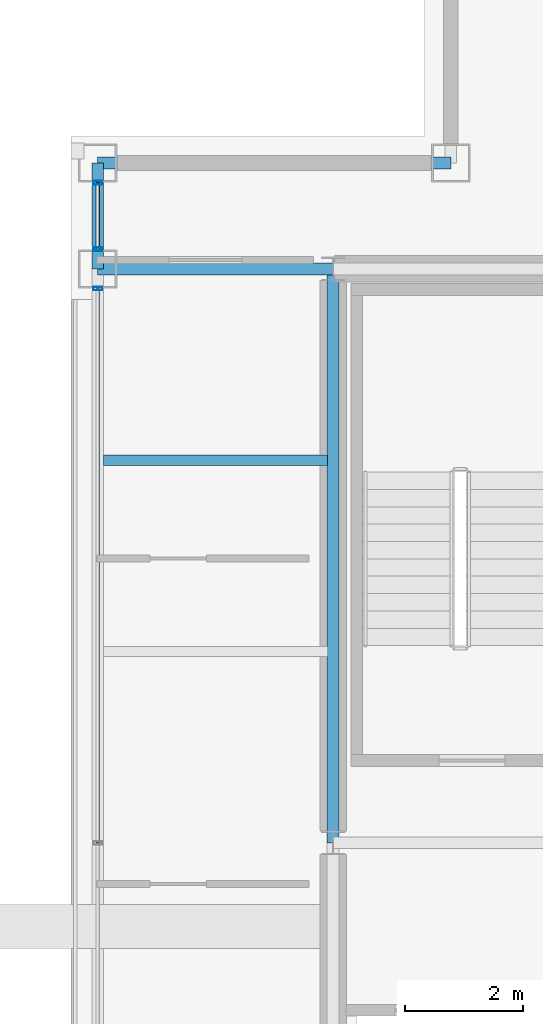
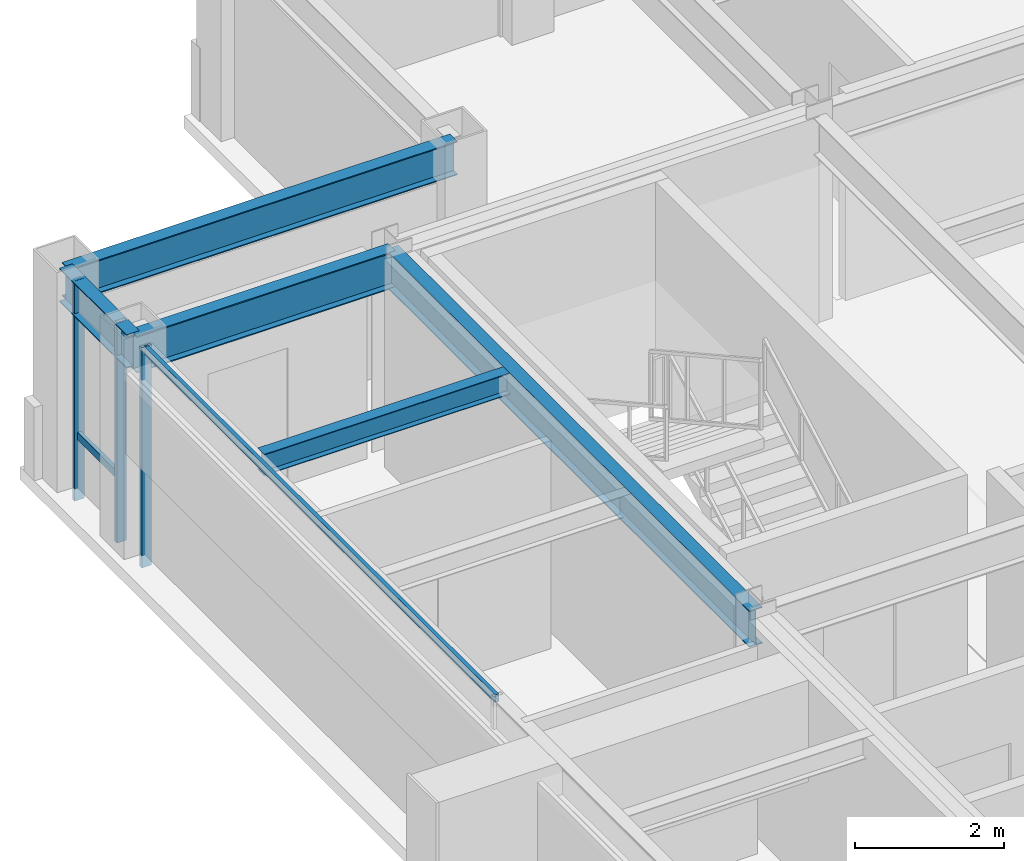
# One storey, part 8 of 20: 5 beams, 5 members, 2 elements without a shape of their own.
"""IFC4 building model written with IfcOpenShell, lengths in metres."""

from ifc_helpers import new_model, si_unit, direction, frame, origin, origin_2d, place, context, subcontext, project, spatial, hollow_rectangle, i_section, extrude, material, layer, layer_set, material_profile, profile_set, type_object, element, aggregate, save


model = new_model("IFC4")

# Units and contexts
model_context = context("Model", 3, precision=1e-05, world=origin(), true_north=direction((0.0, 1.0)))
body_context = subcontext(model_context, "Body", "Model", "MODEL_VIEW")
ifc_project = project(units=[si_unit("LENGTHUNIT", "METRE"), si_unit("AREAUNIT", "SQUARE_METRE"), si_unit("VOLUMEUNIT", "CUBIC_METRE"), si_unit("PLANEANGLEUNIT", "RADIAN"), si_unit("MASSUNIT", "GRAM", prefix="KILO")], contexts=[model_context])

# Site, building, storey
site_placement = place(None, origin())
site = spatial("IfcSite", under=ifc_project, at=site_placement, CompositionType="ELEMENT")
building_placement = place(site_placement, origin())
building = spatial("IfcBuilding", under=site, at=building_placement, Name="Brelmoor Portico Tower", CompositionType="ELEMENT")
storey_placement = place(building_placement, frame((0.0, 0.0, 243.60009765625)))
storey = spatial("IfcBuildingStorey", under=building, at=storey_placement, Name="L64", CompositionType="ELEMENT", Elevation=243.60009765625)

# Beams
ifc_material_1 = material(Name="Steel Q355B", Category="steel")
ifc_material_profile_1 = material_profile(ifc_material_1, i_section(OverallWidth=0.175048828125, OverallDepth=0.35009765625, WebThickness=0.007080078125, FlangeThickness=0.010986328125, at=origin_2d()), Name="HN 350x175x7x11")
ifc_profile_set_1 = profile_set([ifc_material_profile_1], Name="Steel Q355B")
beam_type_1 = type_object("IfcBeamType", Name="BM-JS-350", PredefinedType="JOIST", material=ifc_profile_set_1)
beam_1_placement = place(storey_placement, frame((-18.449951171875, 6.5, 3.224853515625), z_axis=(1.0, 0.0, 0.0), x_axis=(0.0, 1.0, 0.0)))
element("IfcBeam", 1, at=beam_1_placement, inside=storey, type_object=beam_type_1, Name="L64 Secondary Wing Joist JS-W10", PredefinedType="JOIST", context=body_context, shape_type="SweptSolid", body=[
    extrude(i_section(OverallWidth=0.175048828125, OverallDepth=0.35009765625, WebThickness=0.007080078125, FlangeThickness=0.010986328125, at=origin_2d()), origin(), (0.0, 0.0, 1.0), 3.800048828125),
])
ifc_material_profile_2 = material_profile(ifc_material_1, i_section(OverallWidth=0.199951171875, OverallDepth=0.60009765625, WebThickness=0.010986328125, FlangeThickness=0.01708984375, at=origin_2d()), Name="HN 600x200x11x17")
ifc_profile_set_2 = profile_set([ifc_material_profile_2], Name="Steel Q355B")
beam_type_2 = type_object("IfcBeamType", Name="BM-PG-600", PredefinedType="BEAM", material=ifc_profile_set_2)
beam_2_placement = place(storey_placement, frame((-14.550048828125, 0.0, 3.099853515625), z_axis=(0.0, 1.0, 0.0), x_axis=(-1.0, 0.0, 0.0)))
element("IfcBeam", 2, at=beam_2_placement, inside=storey, type_object=beam_type_2, Name="L64 Primary Floor Girder PG-02", PredefinedType="BEAM", context=body_context, shape_type="SweptSolid", body=[
    extrude(i_section(OverallWidth=0.199951171875, OverallDepth=0.60009765625, WebThickness=0.010986328125, FlangeThickness=0.01708984375, at=origin_2d()), origin(), (0.0, 0.0, 1.0), 9.75),
])
beam_3_placement = place(storey_placement, frame((-18.550048828125, 9.75, 3.099853515625), z_axis=(1.0, 0.0, 0.0), x_axis=(0.0, 1.0, 0.0)))
element("IfcBeam", 3, at=beam_3_placement, inside=storey, type_object=beam_type_2, Name="L64 Primary Floor Girder PG-19", PredefinedType="BEAM", context=body_context, shape_type="SweptSolid", body=[
    extrude(i_section(OverallWidth=0.199951171875, OverallDepth=0.60009765625, WebThickness=0.010986328125, FlangeThickness=0.01708984375, at=origin_2d()), origin(), (0.0, 0.0, 1.0), 4.0),
])
ifc_material_profile_3 = material_profile(ifc_material_1, i_section(OverallWidth=0.199951171875, OverallDepth=0.550048828125, WebThickness=0.010009765625, FlangeThickness=0.01611328125, at=origin_2d()), Name="HN 550x200x10x16")
ifc_profile_set_3 = profile_set([ifc_material_profile_3], Name="Steel Q355B")
beam_type_3 = type_object("IfcBeamType", Name="BM-SP-550", PredefinedType="SPANDREL", material=ifc_profile_set_3)
beam_4_placement = place(storey_placement, frame((-18.550048828125, 11.550048828125, 3.125), z_axis=(1.0, 0.0, 0.0), x_axis=(0.0, 1.0, 0.0)))
element("IfcBeam", 4, at=beam_4_placement, inside=storey, type_object=beam_type_3, Name="L64 Perimeter Spandrel Beam SP-06", PredefinedType="SPANDREL", context=body_context, shape_type="SweptSolid", body=[
    extrude(i_section(OverallWidth=0.199951171875, OverallDepth=0.550048828125, WebThickness=0.010009765625, FlangeThickness=0.01611328125, at=origin_2d()), origin(), (0.0, 0.0, 1.0), 6.0),
])
beam_5_placement = place(storey_placement, frame((-18.550048828125, 9.75, 3.125), z_axis=(0.0, 1.0, 0.0), x_axis=(-1.0, 0.0, 0.0)))
element("IfcBeam", 5, at=beam_5_placement, inside=storey, type_object=beam_type_3, Name="L64 Perimeter Spandrel Beam SP-13", PredefinedType="SPANDREL", context=body_context, shape_type="SweptSolid", body=[
    extrude(i_section(OverallWidth=0.199951171875, OverallDepth=0.550048828125, WebThickness=0.010009765625, FlangeThickness=0.01611328125, at=origin_2d()), origin(), (0.0, 0.0, 1.0), 1.800048828125),
])

# Curtain wall, member
ifc_material_2 = material(Name="Anodised Aluminium Alloy 6063-T6", Category="aluminium")
ifc_layer_1 = layer(ifc_material_2, 0.179931640625)
ifc_layer_set_1 = layer_set([ifc_layer_1], Name="Anodised Aluminium Alloy 6063-T6")
curtain_wall_type_1 = type_object("IfcCurtainWallType", Name="CW-TOWER-Z4-XB", PredefinedType="NOTDEFINED", material=ifc_layer_set_1)
curtain_wall_1_placement = place(storey_placement, origin())
curtain_wall_1 = element("IfcCurtainWall", 6, at=curtain_wall_1_placement, inside=storey, type_object=curtain_wall_type_1, Name="L64 Curtain Wall CW-L64-03-2", PredefinedType="NOTDEFINED")
ifc_material_profile_4 = material_profile(ifc_material_2, hollow_rectangle(XDim=0.06005859375, YDim=0.14990234375, WallThickness=0.00390625, at=origin_2d()), Name="ALU MULLION 60x150")
ifc_profile_set_4 = profile_set([ifc_material_profile_4], Name="Anodised Aluminium Alloy 6063-T6")
member_type_1 = type_object("IfcMemberType", Name="MB-CW-MULL-150", PredefinedType="MULLION", material=ifc_profile_set_4)
member_1_placement = place(storey_placement, frame((-18.550048828125, 9.4150390625, -0.2001953125), z_axis=(0.0, 0.0, 1.0), x_axis=(0.0, 1.0, 0.0)))
member_1 = element("IfcMember", 7, at=member_1_placement, type_object=member_type_1, Name="CW-L64-03-2 Mullion 02", PredefinedType="MULLION", context=body_context, shape_type="SweptSolid", body=[
    extrude(hollow_rectangle(XDim=0.06005859375, YDim=0.14990234375, WallThickness=0.00390625, at=origin_2d()), origin(), (0.0, 0.0, 1.0), 3.60009765625),
])

# Curtain wall, members
ifc_layer_2 = layer(ifc_material_2, 0.179931640625)
ifc_layer_set_2 = layer_set([ifc_layer_2], Name="Anodised Aluminium Alloy 6063-T6")
curtain_wall_type_2 = type_object("IfcCurtainWallType", Name="CW-TOWER-Z4", PredefinedType="NOTDEFINED", material=ifc_layer_set_2)
curtain_wall_2_placement = place(storey_placement, origin())
curtain_wall_2 = element("IfcCurtainWall", 8, at=curtain_wall_2_placement, inside=storey, type_object=curtain_wall_type_2, Name="L64 Curtain Wall CW-L64-03-3", PredefinedType="NOTDEFINED")
member_2_placement = place(storey_placement, frame((-18.550048828125, 10.0849609375, -0.2001953125), z_axis=(0.0, 0.0, 1.0), x_axis=(0.0, 1.0, 0.0)))
member_2 = element("IfcMember", 9, at=member_2_placement, type_object=member_type_1, Name="CW-L64-03-3 Mullion 00", PredefinedType="MULLION", context=body_context, shape_type="SweptSolid", body=[
    extrude(hollow_rectangle(XDim=0.06005859375, YDim=0.14990234375, WallThickness=0.00390625, at=origin_2d()), origin(), (0.0, 0.0, 1.0), 3.60009765625),
])
member_3_placement = place(storey_placement, frame((-18.550048828125, 11.215087890625, -0.2001953125), z_axis=(0.0, 0.0, 1.0), x_axis=(0.0, 1.0, 0.0)))
member_3 = element("IfcMember", 10, at=member_3_placement, type_object=member_type_1, Name="CW-L64-03-3 Mullion 01", PredefinedType="MULLION", context=body_context, shape_type="SweptSolid", body=[
    extrude(hollow_rectangle(XDim=0.06005859375, YDim=0.14990234375, WallThickness=0.00390625, at=origin_2d()), origin(), (0.0, 0.0, 1.0), 3.60009765625),
])

# Member
ifc_material_profile_5 = material_profile(ifc_material_2, hollow_rectangle(XDim=0.06005859375, YDim=0.125, WallThickness=0.00341796875, at=origin_2d()), Name="ALU TRANSOM 60x125")
ifc_profile_set_5 = profile_set([ifc_material_profile_5], Name="Anodised Aluminium Alloy 6063-T6")
member_type_2 = type_object("IfcMemberType", Name="MB-CW-TRAN-125", PredefinedType="USERDEFINED", material=ifc_profile_set_5)
member_4_placement = place(storey_placement, frame((-18.550048828125, 0.0, 3.33740234375), z_axis=(0.0, 1.0, 0.0), x_axis=(-1.0, 0.0, 0.0)))
member_4 = element("IfcMember", 11, at=member_4_placement, type_object=member_type_2, Name="CW-L64-03-2 Transom 1-01", ObjectType="TRANSOM", PredefinedType="USERDEFINED", context=body_context, shape_type="SweptSolid", body=[
    extrude(hollow_rectangle(XDim=0.06005859375, YDim=0.125, WallThickness=0.00341796875, at=origin_2d()), origin(), (0.0, 0.0, 1.0), 9.4150390625),
])

aggregate(curtain_wall_1, [member_1, member_4])

member_5_placement = place(storey_placement, frame((-18.550048828125, 10.0849609375, 0.849853515625), z_axis=(0.0, 1.0, 0.0), x_axis=(-1.0, 0.0, 0.0)))
member_5 = element("IfcMember", 12, at=member_5_placement, type_object=member_type_2, Name="CW-L64-03-3 Transom 1-00", ObjectType="TRANSOM", PredefinedType="USERDEFINED", context=body_context, shape_type="SweptSolid", body=[
    extrude(hollow_rectangle(XDim=0.06005859375, YDim=0.125, WallThickness=0.00341796875, at=origin_2d()), origin(), (0.0, 0.0, 1.0), 1.130126953125),
])

aggregate(curtain_wall_2, [member_2, member_3, member_5])

save(model, "model.ifc")
